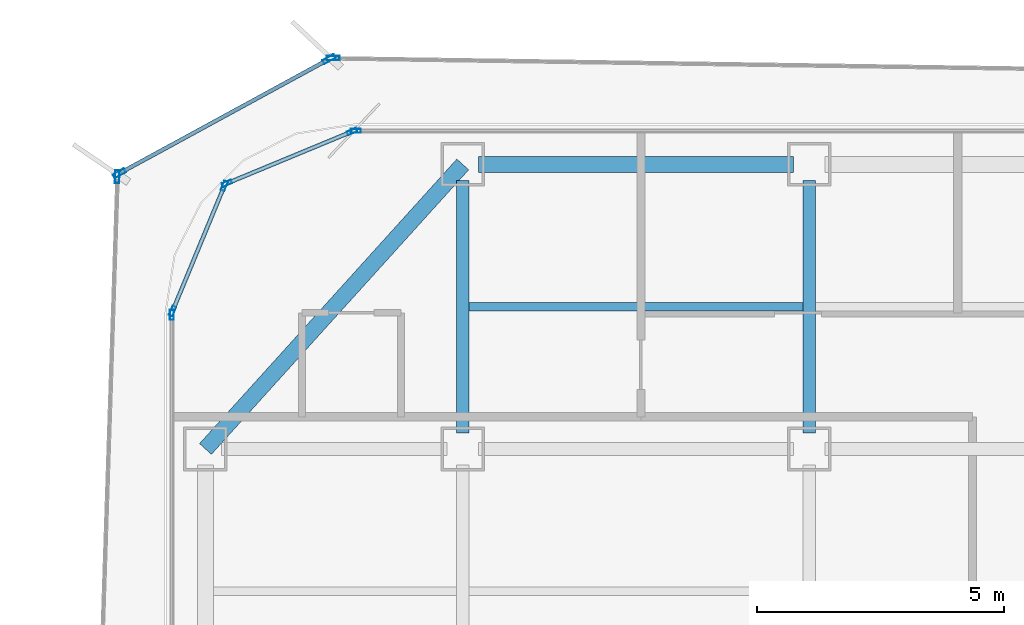
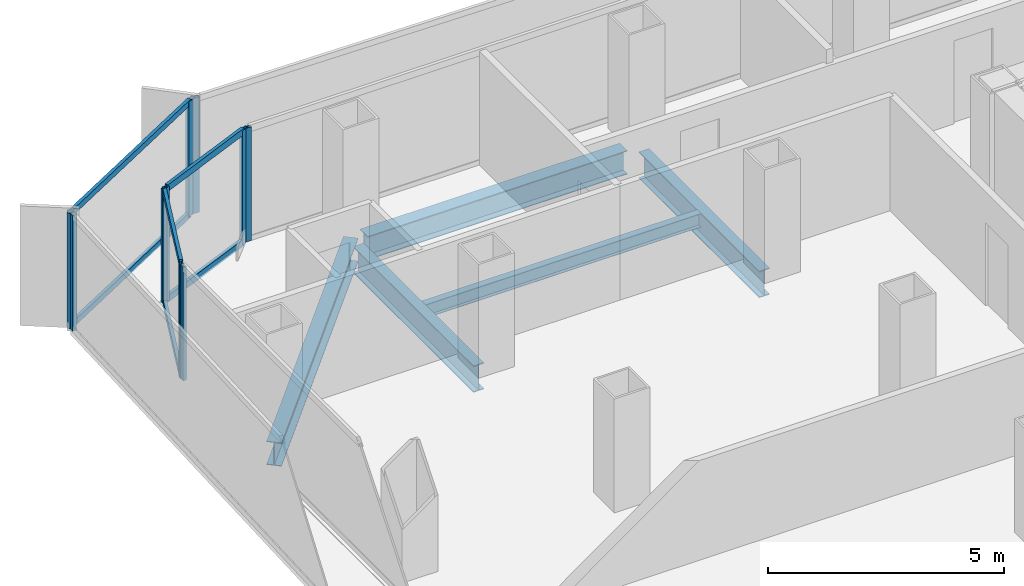
# One storey, part 10 of 21: 16 members, 5 beams, 7 elements without a shape of their own.
"""IFC4 building model written with IfcOpenShell, lengths in metres."""

from ifc_helpers import new_model, si_unit, direction, frame, origin, origin_2d, place, context, subcontext, project, spatial, hollow_rectangle, i_section, extrude, source, transform, mapped, material, layer, layer_set, material_profile, profile_set, type_object, element, aggregate, save


model = new_model("IFC4")

# Units and contexts
model_context = context("Model", 3, precision=1e-05, world=origin(), true_north=direction((0.0, 1.0)))
body_context = subcontext(model_context, "Body", "Model", "MODEL_VIEW")
ifc_project = project(units=[si_unit("LENGTHUNIT", "METRE"), si_unit("AREAUNIT", "SQUARE_METRE"), si_unit("VOLUMEUNIT", "CUBIC_METRE"), si_unit("PLANEANGLEUNIT", "RADIAN"), si_unit("MASSUNIT", "GRAM", prefix="KILO")], contexts=[model_context])

# Site, building, storey
site_placement = place(None, origin())
site = spatial("IfcSite", under=ifc_project, at=site_placement, CompositionType="ELEMENT")
building_placement = place(site_placement, origin())
building = spatial("IfcBuilding", under=site, at=building_placement, Name="Kolveth Station Tower", CompositionType="ELEMENT")
storey_placement = place(building_placement, frame((0.0, 0.0, 127.89990234375)))
storey = spatial("IfcBuildingStorey", under=building, at=storey_placement, Name="L35", CompositionType="ELEMENT", Elevation=127.89990234375)

# Beams
ifc_material_1 = material(Name="Steel S355", Category="steel")
ifc_material_profile_1 = material_profile(ifc_material_1, i_section(OverallWidth=0.323974609375, OverallDepth=0.611083984375, WebThickness=0.0126953125, FlangeThickness=0.01904296875, at=origin_2d()), Name="W610x155")
ifc_profile_set_1 = profile_set([ifc_material_profile_1], Name="Steel S355")
beam_type_1 = type_object("IfcBeamType", Name="Beam_SP2", PredefinedType="SPANDREL", material=ifc_profile_set_1)
shared_shape_1 = source(origin(), body_context, "Body", "SweptSolid", [
    extrude(i_section(OverallWidth=0.323974609375, OverallDepth=0.611083984375, WebThickness=0.0126953125, FlangeThickness=0.01904296875, at=origin_2d()), origin(), (0.0, 0.0, 1.0), 6.35986328125),
])
beam_1_placement = place(storey_placement, frame((6.320068359375, 34.5, -0.555419921875), z_axis=(1.0, 0.0, 0.0), x_axis=(0.0, 1.0, 0.0)))
element("IfcBeam", 1, at=beam_1_placement, inside=storey, type_object=beam_type_1, Name="L35 Perimeter Spandrel BM-L35-PN-1", PredefinedType="SPANDREL", context=body_context, shape_type="MappedRepresentation", body=[
    mapped(shared_shape_1, transform((0.0, 0.0, 0.0), x_axis=(1.0, 0.0, 0.0), y_axis=(0.0, 1.0, 0.0), z_axis=(0.0, 0.0, 1.0), scale=1.0)),
])
shared_shape_2 = source(origin(), body_context, "Body", "SweptSolid", [
    extrude(i_section(OverallWidth=0.323974609375, OverallDepth=0.611083984375, WebThickness=0.0126953125, FlangeThickness=0.01904296875, at=origin_2d()), origin(), (0.0, 0.0, 1.0), 7.75244140625),
])
beam_2_placement = place(storey_placement, frame((6.0, 34.5, -0.555419921875), z_axis=(-0.670740965555, -0.74169168603, 0.0), x_axis=(0.74169168603, -0.670740965555, 0.0)))
element("IfcBeam", 2, at=beam_2_placement, inside=storey, type_object=beam_type_1, Name="L35 Corner Edge Girder BM-L35-CNR-NW", PredefinedType="SPANDREL", context=body_context, shape_type="MappedRepresentation", body=[
    mapped(shared_shape_2, transform((0.0, 0.0, 0.0), x_axis=(1.0, 0.0, 0.0), y_axis=(0.0, 1.0, 0.0), z_axis=(0.0, 0.0, 1.0), scale=1.0)),
])
ifc_material_profile_2 = material_profile(ifc_material_1, i_section(OverallWidth=0.25390625, OverallDepth=0.68798828125, WebThickness=0.01318359375, FlangeThickness=0.02099609375, at=origin_2d()), Name="W690x152")
ifc_profile_set_2 = profile_set([ifc_material_profile_2], Name="Steel S355")
beam_type_2 = type_object("IfcBeamType", Name="Beam_B4", PredefinedType="BEAM", material=ifc_profile_set_2)
shared_shape_3 = source(origin(), body_context, "Body", "SweptSolid", [
    extrude(i_section(OverallWidth=0.25390625, OverallDepth=0.68798828125, WebThickness=0.01318359375, FlangeThickness=0.02099609375, at=origin_2d()), origin(), (0.0, 0.0, 1.0), 5.10986328125),
])
for number, where, z_axis, x_axis, name in (
    (3, (6.0, 29.070068359375, -0.593994140625), (0.0, 1.0, 0.0), (-1.0, 0.0, 0.0), "L35 Primary Girder BM-L35-GX60-6"),
    (4, (13.0, 29.070068359375, -0.593994140625), (0.0, 1.0, 0.0), (-1.0, 0.0, 0.0), "L35 Primary Girder BM-L35-GX130-6"),
):
    element("IfcBeam", number, at=place(storey_placement, frame(where, z_axis=z_axis, x_axis=x_axis)), inside=storey, type_object=beam_type_2, Name=name, PredefinedType="BEAM", context=body_context, shape_type="MappedRepresentation", body=[
        mapped(shared_shape_3, transform((0.0, 0.0, 0.0), x_axis=(1.0, 0.0, 0.0), y_axis=(0.0, 1.0, 0.0), z_axis=(0.0, 0.0, 1.0), scale=1.0)),
    ])
ifc_material_profile_3 = material_profile(ifc_material_1, i_section(OverallWidth=0.1708984375, OverallDepth=0.35205078125, WebThickness=0.0068359375, FlangeThickness=0.009765625, at=origin_2d()), Name="W360x44")
ifc_profile_set_3 = profile_set([ifc_material_profile_3], Name="Steel S355")
beam_type_3 = type_object("IfcBeamType", Name="Beam_J2", PredefinedType="JOIST", material=ifc_profile_set_3)
shared_shape_4 = source(origin(), body_context, "Body", "SweptSolid", [
    extrude(i_section(OverallWidth=0.1708984375, OverallDepth=0.35205078125, WebThickness=0.0068359375, FlangeThickness=0.009765625, at=origin_2d()), origin(), (0.0, 0.0, 1.0), 6.75),
])
beam_3_placement = place(storey_placement, frame((6.125, 31.625, -0.42578125), z_axis=(1.0, 0.0, 0.0), x_axis=(0.0, 1.0, 0.0)))
element("IfcBeam", 5, at=beam_3_placement, inside=storey, type_object=beam_type_3, Name="L35 Secondary Joist JST-L35-2-6", PredefinedType="JOIST", context=body_context, shape_type="MappedRepresentation", body=[
    mapped(shared_shape_4, transform((0.0, 0.0, 0.0), x_axis=(1.0, 0.0, 0.0), y_axis=(0.0, 1.0, 0.0), z_axis=(0.0, 0.0, 1.0), scale=1.0)),
])

# Curtain wall, members
ifc_material_2 = material(Name="Aluminium 6063-T6 and low-E dark glass", Category="aluminium")
ifc_layer_1 = layer(ifc_material_2, 0.18994140625)
ifc_layer_set_1 = layer_set([ifc_layer_1], Name="Aluminium 6063-T6 and low-E dark glass")
curtain_wall_type_1 = type_object("IfcCurtainWallType", Name="CurtainWall_CW-Z2", PredefinedType="NOTDEFINED", material=ifc_layer_set_1)
curtain_wall_1_placement = place(storey_placement, origin())
curtain_wall_1 = element("IfcCurtainWall", 6, at=curtain_wall_1_placement, inside=storey, type_object=curtain_wall_type_1, Name="L35 Inner Thermal Curtain Wall 7", PredefinedType="NOTDEFINED")
ifc_material_3 = material(Name="Black anodized aluminium 6063-T6", Category="aluminium")
ifc_material_profile_4 = material_profile(ifc_material_3, hollow_rectangle(XDim=0.080078125, YDim=0.169921875, WallThickness=0.0048828125, at=origin_2d()), Name="ALU-80x170x5")
ifc_profile_set_4 = profile_set([ifc_material_profile_4], Name="Black anodized aluminium 6063-T6")
member_type_1 = type_object("IfcMemberType", Name="Transom_TR2", PredefinedType="USERDEFINED", material=ifc_profile_set_4)
shared_shape_5 = source(origin(), body_context, "Body", "SweptSolid", [
    extrude(hollow_rectangle(XDim=0.080078125, YDim=0.169921875, WallThickness=0.0048828125, at=origin_2d()), origin(), (0.0, 0.0, 1.0), 2.656494140625),
])
member_1_placement = place(storey_placement, frame((3.72607421875, 35.1494140625, 0.0400390625), z_axis=(-0.923882422403, -0.382676455475, 0.0), x_axis=(0.382676455475, -0.923882422403, 0.0)))
member_1 = element("IfcMember", 7, at=member_1_placement, type_object=member_type_1, Name="CW-Z2 transom 1.1", ObjectType="TRANSOM", PredefinedType="USERDEFINED", context=body_context, shape_type="MappedRepresentation", body=[
    mapped(shared_shape_5, transform((0.0, 0.0, 0.0), x_axis=(1.0, 0.0, 0.0), y_axis=(0.0, 1.0, 0.0), z_axis=(0.0, 0.0, 1.0), scale=1.0)),
])
member_2_placement = place(storey_placement, frame((3.72607421875, 35.1494140625, 2.91015625), z_axis=(-0.923882422403, -0.382676455475, 0.0), x_axis=(0.382676455475, -0.923882422403, 0.0)))
member_2 = element("IfcMember", 8, at=member_2_placement, type_object=member_type_1, Name="CW-Z2 transom 1.2", ObjectType="TRANSOM", PredefinedType="USERDEFINED", context=body_context, shape_type="MappedRepresentation", body=[
    mapped(shared_shape_5, transform((0.0, 0.0, 0.0), x_axis=(1.0, 0.0, 0.0), y_axis=(0.0, 1.0, 0.0), z_axis=(0.0, 0.0, 1.0), scale=1.0)),
])

curtain_wall_2_placement = place(storey_placement, origin())
curtain_wall_2 = element("IfcCurtainWall", 9, at=curtain_wall_2_placement, inside=storey, type_object=curtain_wall_type_1, Name="L35 Inner Thermal Curtain Wall 8", PredefinedType="NOTDEFINED")
member_3_placement = place(storey_placement, frame((1.167236328125, 34.0283203125, 0.0400390625), z_axis=(-0.382676455475, -0.923882422403, 0.0), x_axis=(0.923882422403, -0.382676455475, 0.0)))
member_3 = element("IfcMember", 10, at=member_3_placement, type_object=member_type_1, Name="CW-Z2 transom 1.1", ObjectType="TRANSOM", PredefinedType="USERDEFINED", context=body_context, shape_type="MappedRepresentation", body=[
    mapped(shared_shape_5, transform((0.0, 0.0, 0.0), x_axis=(1.0, 0.0, 0.0), y_axis=(0.0, 1.0, 0.0), z_axis=(0.0, 0.0, 1.0), scale=1.0)),
])
member_4_placement = place(storey_placement, frame((1.167236328125, 34.0283203125, 2.91015625), z_axis=(-0.382676455475, -0.923882422403, 0.0), x_axis=(0.923882422403, -0.382676455475, 0.0)))
member_4 = element("IfcMember", 11, at=member_4_placement, type_object=member_type_1, Name="CW-Z2 transom 1.2", ObjectType="TRANSOM", PredefinedType="USERDEFINED", context=body_context, shape_type="MappedRepresentation", body=[
    mapped(shared_shape_5, transform((0.0, 0.0, 0.0), x_axis=(1.0, 0.0, 0.0), y_axis=(0.0, 1.0, 0.0), z_axis=(0.0, 0.0, 1.0), scale=1.0)),
])

# Curtain wall, member
ifc_material_4 = material(Name="Black anodized aluminium 6063-T6 and dark solar glass", Category="aluminium")
ifc_layer_2 = layer(ifc_material_4, 0.159912109375)
ifc_layer_set_2 = layer_set([ifc_layer_2], Name="Black anodized aluminium 6063-T6 and dark solar glass")
curtain_wall_type_2 = type_object("IfcCurtainWallType", Name="OUTER SKIN CW-OS", PredefinedType="NOTDEFINED", material=ifc_layer_set_2)
curtain_wall_3_placement = place(storey_placement, origin())
curtain_wall_3 = element("IfcCurtainWall", 12, at=curtain_wall_3_placement, inside=storey, type_object=curtain_wall_type_2, Name="L35 Outer Ventilated Skin Curtain Wall 4", PredefinedType="NOTDEFINED")
ifc_material_profile_5 = material_profile(ifc_material_3, hollow_rectangle(XDim=0.090087890625, YDim=0.260009765625, WallThickness=0.0048828125, at=origin_2d()), Name="ALU-90x260x5")
ifc_profile_set_5 = profile_set([ifc_material_profile_5], Name="Black anodized aluminium 6063-T6")
member_type_2 = type_object("IfcMemberType", Name="FIN MULLION ML-OS", PredefinedType="MULLION", material=ifc_profile_set_5)
shared_shape_6 = source(origin(), body_context, "Body", "SweptSolid", [
    extrude(hollow_rectangle(XDim=0.090087890625, YDim=0.260009765625, WallThickness=0.0048828125, at=origin_2d()), origin(), (0.0, 0.0, 1.0), 2.989990234375),
])
member_5_placement = place(storey_placement, frame((3.380615234375, 36.64794921875, 0.0), z_axis=(0.0, 0.0, 1.0), x_axis=(-0.014845218386, -0.999889803674, 0.0)))
member_5 = element("IfcMember", 13, at=member_5_placement, type_object=member_type_2, Name="CW-OS mullion 2", PredefinedType="MULLION", context=body_context, shape_type="MappedRepresentation", body=[
    mapped(shared_shape_6, transform((0.0, 0.0, 0.0), x_axis=(1.0, 0.0, 0.0), y_axis=(0.0, 1.0, 0.0), z_axis=(0.0, 0.0, 1.0), scale=1.0)),
])
aggregate(curtain_wall_3, [member_5])

# Curtain wall, members
curtain_wall_4_placement = place(storey_placement, origin())
curtain_wall_4 = element("IfcCurtainWall", 14, at=curtain_wall_4_placement, inside=storey, type_object=curtain_wall_type_2, Name="L35 Outer Ventilated Skin Curtain Wall 5", PredefinedType="NOTDEFINED")
member_6_placement = place(storey_placement, frame((3.296142578125, 36.626953125, 0.0), z_axis=(0.0, 0.0, 1.0), x_axis=(0.478431445364, -0.878124906882, 0.0)))
member_6 = element("IfcMember", 15, at=member_6_placement, type_object=member_type_2, Name="CW-OS mullion 1", PredefinedType="MULLION", context=body_context, shape_type="MappedRepresentation", body=[
    mapped(shared_shape_6, transform((0.0, 0.0, 0.0), x_axis=(1.0, 0.0, 0.0), y_axis=(0.0, 1.0, 0.0), z_axis=(0.0, 0.0, 1.0), scale=1.0)),
])
member_7_placement = place(storey_placement, frame((-0.939697265625, 34.319091796875, 0.0), z_axis=(0.0, 0.0, 1.0), x_axis=(0.478431445364, -0.878124906882, 0.0)))
member_7 = element("IfcMember", 16, at=member_7_placement, type_object=member_type_2, Name="CW-OS mullion 2", PredefinedType="MULLION", context=body_context, shape_type="MappedRepresentation", body=[
    mapped(shared_shape_6, transform((0.0, 0.0, 0.0), x_axis=(1.0, 0.0, 0.0), y_axis=(0.0, 1.0, 0.0), z_axis=(0.0, 0.0, 1.0), scale=1.0)),
])

# Curtain wall, member
curtain_wall_5_placement = place(storey_placement, origin())
curtain_wall_5 = element("IfcCurtainWall", 17, at=curtain_wall_5_placement, inside=storey, type_object=curtain_wall_type_2, Name="L35 Outer Ventilated Skin Curtain Wall 6", PredefinedType="NOTDEFINED")
member_8_placement = place(storey_placement, frame((-0.980712890625, 34.252685546875, 0.0), z_axis=(0.0, 0.0, 1.0), x_axis=(0.99946866399, -0.032594320103, 0.0)))
member_8 = element("IfcMember", 18, at=member_8_placement, type_object=member_type_2, Name="CW-OS mullion 1", PredefinedType="MULLION", context=body_context, shape_type="MappedRepresentation", body=[
    mapped(shared_shape_6, transform((0.0, 0.0, 0.0), x_axis=(1.0, 0.0, 0.0), y_axis=(0.0, 1.0, 0.0), z_axis=(0.0, 0.0, 1.0), scale=1.0)),
])
aggregate(curtain_wall_5, [member_8])

curtain_wall_6_placement = place(storey_placement, origin())
curtain_wall_6 = element("IfcCurtainWall", 19, at=curtain_wall_6_placement, inside=storey, type_object=curtain_wall_type_1, Name="L35 Inner Thermal Curtain Wall 6", PredefinedType="NOTDEFINED")
ifc_material_profile_6 = material_profile(ifc_material_3, hollow_rectangle(XDim=0.080078125, YDim=0.199951171875, WallThickness=0.0048828125, at=origin_2d()), Name="ALU-80x200x5")
ifc_profile_set_6 = profile_set([ifc_material_profile_6], Name="Black anodized aluminium 6063-T6")
member_type_3 = type_object("IfcMemberType", Name="Mullion_ML2", PredefinedType="MULLION", material=ifc_profile_set_6)
shared_shape_7 = source(origin(), body_context, "Body", "SweptSolid", [
    extrude(hollow_rectangle(XDim=0.080078125, YDim=0.199951171875, WallThickness=0.0048828125, at=origin_2d()), origin(), (0.0, 0.0, 1.0), 2.9501953125),
])
member_9_placement = place(storey_placement, frame((3.840087890625, 35.179931640625, 0.0), z_axis=(0.0, 0.0, 1.0), x_axis=(0.0, -1.0, 0.0)))
member_9 = element("IfcMember", 20, at=member_9_placement, type_object=member_type_3, Name="CW-Z2 mullion 3", PredefinedType="MULLION", context=body_context, shape_type="MappedRepresentation", body=[
    mapped(shared_shape_7, transform((0.0, 0.0, 0.0), x_axis=(1.0, 0.0, 0.0), y_axis=(0.0, 1.0, 0.0), z_axis=(0.0, 0.0, 1.0), scale=1.0)),
])
aggregate(curtain_wall_6, [member_9])

# Member
member_10_placement = place(storey_placement, frame((3.762939453125, 35.164794921875, 0.0), z_axis=(0.0, 0.0, 1.0), x_axis=(0.38266326998, -0.923887883787, 0.0)))
member_10 = element("IfcMember", 21, at=member_10_placement, type_object=member_type_3, Name="CW-Z2 mullion 1", PredefinedType="MULLION", context=body_context, shape_type="MappedRepresentation", body=[
    mapped(shared_shape_7, transform((0.0, 0.0, 0.0), x_axis=(1.0, 0.0, 0.0), y_axis=(0.0, 1.0, 0.0), z_axis=(0.0, 0.0, 1.0), scale=1.0)),
])

member_11_placement = place(storey_placement, frame((1.23486328125, 34.117431640625, 0.0), z_axis=(0.0, 0.0, 1.0), x_axis=(0.38266326998, -0.923887883787, 0.0)))
member_11 = element("IfcMember", 22, at=member_11_placement, type_object=member_type_3, Name="CW-Z2 mullion 2", PredefinedType="MULLION", context=body_context, shape_type="MappedRepresentation", body=[
    mapped(shared_shape_7, transform((0.0, 0.0, 0.0), x_axis=(1.0, 0.0, 0.0), y_axis=(0.0, 1.0, 0.0), z_axis=(0.0, 0.0, 1.0), scale=1.0)),
])

aggregate(curtain_wall_1, [member_10, member_11, member_1, member_2])

member_12_placement = place(storey_placement, frame((1.182373046875, 34.065185546875, 0.0), z_axis=(0.0, 0.0, 1.0), x_axis=(0.923887883787, -0.38266326998, 0.0)))
member_12 = element("IfcMember", 23, at=member_12_placement, type_object=member_type_3, Name="CW-Z2 mullion 1", PredefinedType="MULLION", context=body_context, shape_type="MappedRepresentation", body=[
    mapped(shared_shape_7, transform((0.0, 0.0, 0.0), x_axis=(1.0, 0.0, 0.0), y_axis=(0.0, 1.0, 0.0), z_axis=(0.0, 0.0, 1.0), scale=1.0)),
])

member_13_placement = place(storey_placement, frame((0.13525390625, 31.536865234375, 0.0), z_axis=(0.0, 0.0, 1.0), x_axis=(0.923887883787, -0.38266326998, 0.0)))
member_13 = element("IfcMember", 24, at=member_13_placement, type_object=member_type_3, Name="CW-Z2 mullion 2", PredefinedType="MULLION", context=body_context, shape_type="MappedRepresentation", body=[
    mapped(shared_shape_7, transform((0.0, 0.0, 0.0), x_axis=(1.0, 0.0, 0.0), y_axis=(0.0, 1.0, 0.0), z_axis=(0.0, 0.0, 1.0), scale=1.0)),
])

aggregate(curtain_wall_2, [member_12, member_13, member_3, member_4])

# Curtain wall, member
curtain_wall_7_placement = place(storey_placement, origin())
curtain_wall_7 = element("IfcCurtainWall", 25, at=curtain_wall_7_placement, inside=storey, type_object=curtain_wall_type_1, Name="L35 Inner Thermal Curtain Wall 9", PredefinedType="NOTDEFINED")
member_14_placement = place(storey_placement, frame((0.1201171875, 31.4599609375, 0.0), z_axis=(0.0, 0.0, 1.0), x_axis=(1.0, 0.0, 0.0)))
member_14 = element("IfcMember", 26, at=member_14_placement, type_object=member_type_3, Name="CW-Z2 mullion 1", PredefinedType="MULLION", context=body_context, shape_type="MappedRepresentation", body=[
    mapped(shared_shape_7, transform((0.0, 0.0, 0.0), x_axis=(1.0, 0.0, 0.0), y_axis=(0.0, 1.0, 0.0), z_axis=(0.0, 0.0, 1.0), scale=1.0)),
])
aggregate(curtain_wall_7, [member_14])

# Member
ifc_material_profile_7 = material_profile(ifc_material_3, hollow_rectangle(XDim=0.080078125, YDim=0.14990234375, WallThickness=0.0048828125, at=origin_2d()), Name="ALU-80x150x5")
ifc_profile_set_7 = profile_set([ifc_material_profile_7], Name="Black anodized aluminium 6063-T6")
member_type_4 = type_object("IfcMemberType", Name="Transom_TR-OS", PredefinedType="USERDEFINED", material=ifc_profile_set_7)
shared_shape_8 = source(origin(), body_context, "Body", "SweptSolid", [
    extrude(hollow_rectangle(XDim=0.080078125, YDim=0.14990234375, WallThickness=0.0048828125, at=origin_2d()), origin(), (0.0, 0.0, 1.0), 4.73388671875),
])
member_15_placement = place(storey_placement, frame((3.256591796875, 36.60546875, 0.0400390625), z_axis=(-0.878122130052, -0.478436541992, 0.0), x_axis=(0.478436541992, -0.878122130052, 0.0)))
member_15 = element("IfcMember", 27, at=member_15_placement, type_object=member_type_4, Name="CW-OS transom 1.1", ObjectType="TRANSOM", PredefinedType="USERDEFINED", context=body_context, shape_type="MappedRepresentation", body=[
    mapped(shared_shape_8, transform((0.0, 0.0, 0.0), x_axis=(1.0, 0.0, 0.0), y_axis=(0.0, 1.0, 0.0), z_axis=(0.0, 0.0, 1.0), scale=1.0)),
])

member_16_placement = place(storey_placement, frame((3.256591796875, 36.60546875, 2.9501953125), z_axis=(-0.878122130052, -0.478436541992, 0.0), x_axis=(0.478436541992, -0.878122130052, 0.0)))
member_16 = element("IfcMember", 28, at=member_16_placement, type_object=member_type_4, Name="CW-OS transom 1.2", ObjectType="TRANSOM", PredefinedType="USERDEFINED", context=body_context, shape_type="MappedRepresentation", body=[
    mapped(shared_shape_8, transform((0.0, 0.0, 0.0), x_axis=(1.0, 0.0, 0.0), y_axis=(0.0, 1.0, 0.0), z_axis=(0.0, 0.0, 1.0), scale=1.0)),
])

aggregate(curtain_wall_4, [member_6, member_7, member_15, member_16])

save(model, "model.ifc")
